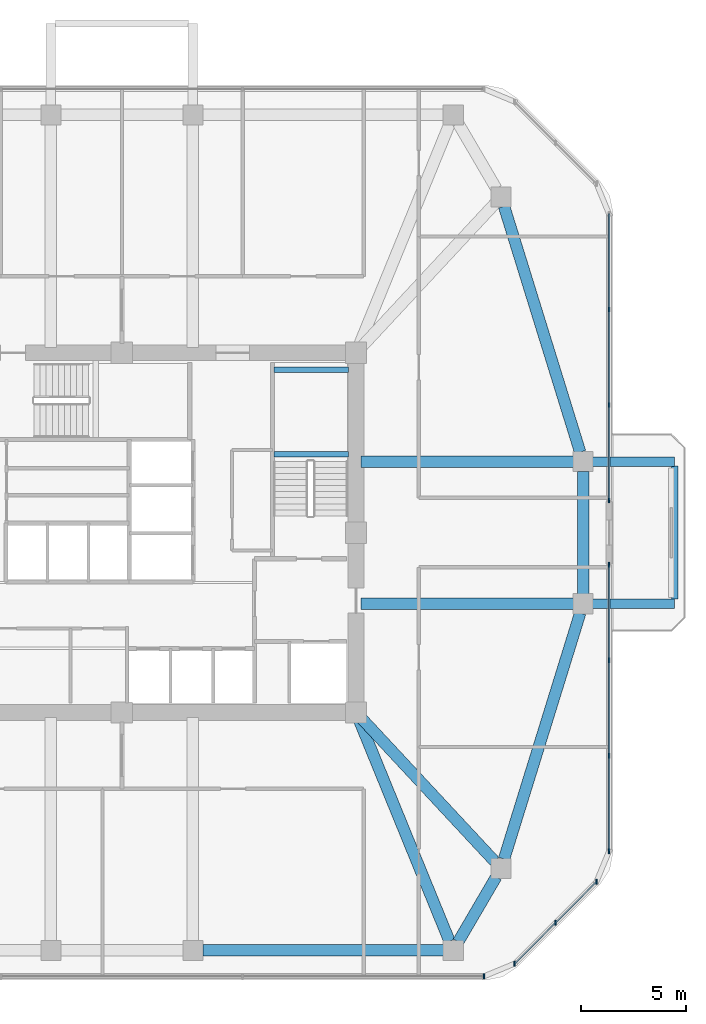
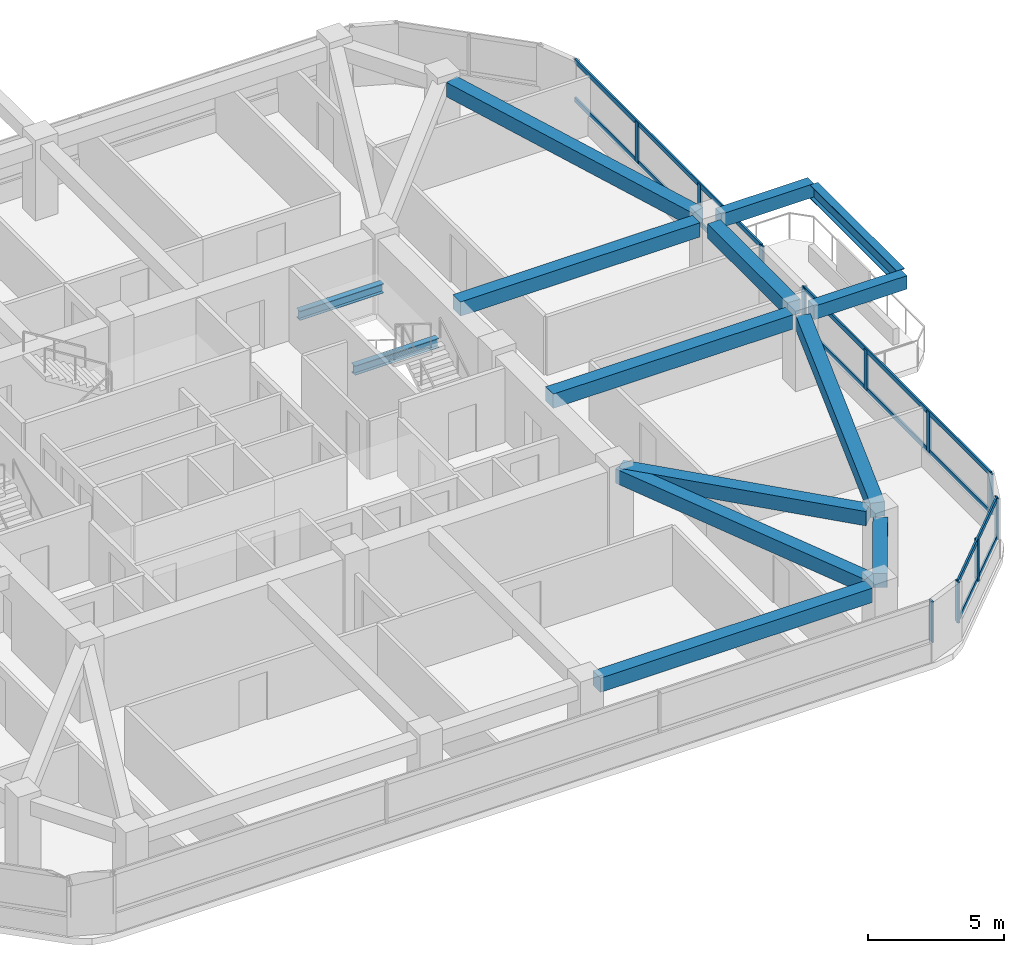
# One storey, part 4 of 12: 17 members, 14 beams, 4 elements without a shape of their own.
"""IFC4 building model written with IfcOpenShell, lengths in metres."""

from ifc_helpers import new_model, si_unit, derived_unit, direction, frame, origin, origin_2d, place, context, subcontext, project, spatial, rectangle, i_section, extrude, material, material_profile, profile_set, type_object, element, aggregate, save


model = new_model("IFC4")

# Units and contexts
model_context = context("Model", 3, precision=1e-05, world=origin(), true_north=direction((0.0, 1.0)))
body_context = subcontext(model_context, "Body", "Model", "MODEL_VIEW")
ifc_project = project(units=[si_unit("LENGTHUNIT", "METRE"), si_unit("AREAUNIT", "SQUARE_METRE"), si_unit("VOLUMEUNIT", "CUBIC_METRE"), si_unit("PLANEANGLEUNIT", "RADIAN"), si_unit("MASSUNIT", "GRAM", prefix="KILO"), derived_unit("THERMALTRANSMITTANCEUNIT", [(si_unit("POWERUNIT", "WATT"), 1), (si_unit("LENGTHUNIT", "METRE"), -2), (si_unit("THERMODYNAMICTEMPERATUREUNIT", "KELVIN"), -1)])], contexts=[model_context])

# Site, building, storey
site_placement = place(None, origin())
site = spatial("IfcSite", under=ifc_project, at=site_placement, CompositionType="ELEMENT")
building_placement = place(site_placement, origin())
building = spatial("IfcBuilding", under=site, at=building_placement, Name="Koralith Skygarden Medical Center", CompositionType="ELEMENT")
storey_placement = place(building_placement, frame((0.0, 0.0, 170.820068359375)))
storey = spatial("IfcBuildingStorey", under=building, at=storey_placement, Name="L44", CompositionType="ELEMENT", Elevation=170.820068359375)

# Curtain wall, member
ifc_material_1 = material(Name="Clear Laminated Glass", Category="glass")
curtain_wall_type = type_object("IfcCurtainWallType", Name="CW-4 Zone 3 Waist High-Wind Curtain Wall", PredefinedType="NOTDEFINED", material=ifc_material_1)
curtain_wall_1_placement = place(storey_placement, origin())
curtain_wall_1 = element("IfcCurtainWall", 1, at=curtain_wall_1_placement, inside=storey, type_object=curtain_wall_type, Name="Curtain Wall CW-L44-S", PredefinedType="NOTDEFINED")
ifc_material_2 = material(Name="Aluminium 6063-T6", Category="aluminium")
ifc_material_profile_1 = material_profile(ifc_material_2, rectangle(XDim=0.076904296875, YDim=0.22998046875, at=origin_2d()), Name="MUL77X230")
ifc_profile_set_1 = profile_set([ifc_material_profile_1], Name="Aluminium 6063-T6")
member_type_1 = type_object("IfcMemberType", Name="CW-4 Extruded Mullion 77x230", PredefinedType="MULLION", material=ifc_profile_set_1)
member_1_placement = place(storey_placement, frame((54.3291015625, 4.679931640625, 0.849853515625), z_axis=(0.0, 0.0, 1.0), x_axis=(1.0, 0.0, 0.0)))
member_1 = element("IfcMember", 2, at=member_1_placement, type_object=member_type_1, Name="CW-L44-S Mullion 4", PredefinedType="MULLION", context=body_context, shape_type="SweptSolid", body=[
    extrude(rectangle(XDim=0.076904296875, YDim=0.22998046875, at=origin_2d()), origin(), (0.0, 0.0, 1.0), 1.820068359375),
])
aggregate(curtain_wall_1, [member_1])

# Curtain wall, members
curtain_wall_2_placement = place(storey_placement, origin())
curtain_wall_2 = element("IfcCurtainWall", 3, at=curtain_wall_2_placement, inside=storey, type_object=curtain_wall_type, Name="Curtain Wall CW-L44-SE", PredefinedType="NOTDEFINED")
member_2_placement = place(storey_placement, frame((55.780029296875, 5.281005859375, 0.849853515625), z_axis=(0.0, 0.0, 1.0), x_axis=(1.0, 0.0, 0.0)))
member_2 = element("IfcMember", 4, at=member_2_placement, type_object=member_type_1, Name="CW-L44-SE Mullion 1", PredefinedType="MULLION", context=body_context, shape_type="SweptSolid", body=[
    extrude(rectangle(XDim=0.076904296875, YDim=0.22998046875, at=origin_2d()), origin(), (0.0, 0.0, 1.0), 1.820068359375),
])
member_3_placement = place(storey_placement, frame((57.741943359375, 7.241943359375, 0.849853515625), z_axis=(0.0, 0.0, 1.0), x_axis=(1.0, 0.0, 0.0)))
member_3 = element("IfcMember", 5, at=member_3_placement, type_object=member_type_1, Name="CW-L44-SE Mullion 2", PredefinedType="MULLION", context=body_context, shape_type="SweptSolid", body=[
    extrude(rectangle(XDim=0.076904296875, YDim=0.22998046875, at=origin_2d()), origin(), (0.0, 0.0, 1.0), 1.820068359375),
])
member_4_placement = place(storey_placement, frame((59.702880859375, 9.2041015625, 0.849853515625), z_axis=(0.0, 0.0, 1.0), x_axis=(1.0, 0.0, 0.0)))
member_4 = element("IfcMember", 6, at=member_4_placement, type_object=member_type_1, Name="CW-L44-SE Mullion 3", PredefinedType="MULLION", context=body_context, shape_type="SweptSolid", body=[
    extrude(rectangle(XDim=0.076904296875, YDim=0.22998046875, at=origin_2d()), origin(), (0.0, 0.0, 1.0), 1.820068359375),
])

curtain_wall_3_placement = place(storey_placement, origin())
curtain_wall_3 = element("IfcCurtainWall", 7, at=curtain_wall_3_placement, inside=storey, type_object=curtain_wall_type, Name="Curtain Wall CW-L44-E-L", PredefinedType="NOTDEFINED")
member_5_placement = place(storey_placement, frame((60.303955078125, 10.655029296875, 0.849853515625), z_axis=(0.0, 0.0, 1.0), x_axis=(1.0, 0.0, 0.0)))
member_5 = element("IfcMember", 8, at=member_5_placement, type_object=member_type_1, Name="CW-L44-E-L Mullion 1", PredefinedType="MULLION", context=body_context, shape_type="SweptSolid", body=[
    extrude(rectangle(XDim=0.076904296875, YDim=0.22998046875, at=origin_2d()), origin(), (0.0, 0.0, 1.0), 1.820068359375),
])
member_6_placement = place(storey_placement, frame((60.303955078125, 15.222900390625, 0.849853515625), z_axis=(0.0, 0.0, 1.0), x_axis=(1.0, 0.0, 0.0)))
member_6 = element("IfcMember", 9, at=member_6_placement, type_object=member_type_1, Name="CW-L44-E-L Mullion 2", PredefinedType="MULLION", context=body_context, shape_type="SweptSolid", body=[
    extrude(rectangle(XDim=0.076904296875, YDim=0.22998046875, at=origin_2d()), origin(), (0.0, 0.0, 1.0), 1.820068359375),
])
member_7_placement = place(storey_placement, frame((60.303955078125, 19.7919921875, 0.849853515625), z_axis=(0.0, 0.0, 1.0), x_axis=(1.0, 0.0, 0.0)))
member_7 = element("IfcMember", 10, at=member_7_placement, type_object=member_type_1, Name="CW-L44-E-L Mullion 3", PredefinedType="MULLION", context=body_context, shape_type="SweptSolid", body=[
    extrude(rectangle(XDim=0.076904296875, YDim=0.22998046875, at=origin_2d()), origin(), (0.0, 0.0, 1.0), 1.820068359375),
])
member_8_placement = place(storey_placement, frame((60.303955078125, 24.360107421875, 0.849853515625), z_axis=(0.0, 0.0, 1.0), x_axis=(1.0, 0.0, 0.0)))
member_8 = element("IfcMember", 11, at=member_8_placement, type_object=member_type_1, Name="CW-L44-E-L Mullion 4", PredefinedType="MULLION", context=body_context, shape_type="SweptSolid", body=[
    extrude(rectangle(XDim=0.076904296875, YDim=0.22998046875, at=origin_2d()), origin(), (0.0, 0.0, 1.0), 1.820068359375),
])

curtain_wall_4_placement = place(storey_placement, origin())
curtain_wall_4 = element("IfcCurtainWall", 12, at=curtain_wall_4_placement, inside=storey, type_object=curtain_wall_type, Name="Curtain Wall CW-L44-E-R", PredefinedType="NOTDEFINED")
member_9_placement = place(storey_placement, frame((60.303955078125, 27.43994140625, 0.849853515625), z_axis=(0.0, 0.0, 1.0), x_axis=(1.0, 0.0, 0.0)))
member_9 = element("IfcMember", 13, at=member_9_placement, type_object=member_type_1, Name="CW-L44-E-R Mullion 1", PredefinedType="MULLION", context=body_context, shape_type="SweptSolid", body=[
    extrude(rectangle(XDim=0.076904296875, YDim=0.22998046875, at=origin_2d()), origin(), (0.0, 0.0, 1.0), 1.820068359375),
])
member_10_placement = place(storey_placement, frame((60.303955078125, 32.008056640625, 0.849853515625), z_axis=(0.0, 0.0, 1.0), x_axis=(1.0, 0.0, 0.0)))
member_10 = element("IfcMember", 14, at=member_10_placement, type_object=member_type_1, Name="CW-L44-E-R Mullion 2", PredefinedType="MULLION", context=body_context, shape_type="SweptSolid", body=[
    extrude(rectangle(XDim=0.076904296875, YDim=0.22998046875, at=origin_2d()), origin(), (0.0, 0.0, 1.0), 1.820068359375),
])
member_11_placement = place(storey_placement, frame((60.303955078125, 36.576904296875, 0.849853515625), z_axis=(0.0, 0.0, 1.0), x_axis=(1.0, 0.0, 0.0)))
member_11 = element("IfcMember", 15, at=member_11_placement, type_object=member_type_1, Name="CW-L44-E-R Mullion 3", PredefinedType="MULLION", context=body_context, shape_type="SweptSolid", body=[
    extrude(rectangle(XDim=0.076904296875, YDim=0.22998046875, at=origin_2d()), origin(), (0.0, 0.0, 1.0), 1.820068359375),
])

# Member
ifc_material_profile_2 = material_profile(ifc_material_2, rectangle(XDim=0.072021484375, YDim=0.20703125, at=origin_2d()), Name="TRN72X207")
ifc_profile_set_2 = profile_set([ifc_material_profile_2], Name="Aluminium 6063-T6")
member_type_2 = type_object("IfcMemberType", Name="CW-4 Thermal Transom 72x207", PredefinedType="USERDEFINED", material=ifc_profile_set_2)
member_12_placement = place(storey_placement, frame((55.780029296875, 5.281005859375, 0.89990234375), z_axis=(0.707084777957, 0.707128783731, 0.0), x_axis=(-0.707128783731, 0.707084777957, 0.0)))
member_12 = element("IfcMember", 16, at=member_12_placement, type_object=member_type_2, Name="CW-L44-SE Transom 1", ObjectType="TRANSOM", PredefinedType="USERDEFINED", context=body_context, shape_type="SweptSolid", body=[
    extrude(rectangle(XDim=0.072021484375, YDim=0.20703125, at=origin_2d()), origin(), (0.0, 0.0, 1.0), 5.5478515625),
])

member_13_placement = place(storey_placement, frame((55.780029296875, 5.281005859375, 2.619873046875), z_axis=(0.707084777957, 0.707128783731, 0.0), x_axis=(-0.707128783731, 0.707084777957, 0.0)))
member_13 = element("IfcMember", 17, at=member_13_placement, type_object=member_type_2, Name="CW-L44-SE Transom 2", ObjectType="TRANSOM", PredefinedType="USERDEFINED", context=body_context, shape_type="SweptSolid", body=[
    extrude(rectangle(XDim=0.072021484375, YDim=0.20703125, at=origin_2d()), origin(), (0.0, 0.0, 1.0), 5.5478515625),
])

aggregate(curtain_wall_2, [member_2, member_3, member_4, member_12, member_13])

member_14_placement = place(storey_placement, frame((60.303955078125, 10.655029296875, 0.89990234375), z_axis=(0.0, 1.0, 0.0), x_axis=(-1.0, 0.0, 0.0)))
member_14 = element("IfcMember", 18, at=member_14_placement, type_object=member_type_2, Name="CW-L44-E-L Transom 1", ObjectType="TRANSOM", PredefinedType="USERDEFINED", context=body_context, shape_type="SweptSolid", body=[
    extrude(rectangle(XDim=0.072021484375, YDim=0.20703125, at=origin_2d()), origin(), (0.0, 0.0, 1.0), 13.705078125),
])

member_15_placement = place(storey_placement, frame((60.303955078125, 10.655029296875, 2.619873046875), z_axis=(0.0, 1.0, 0.0), x_axis=(-1.0, 0.0, 0.0)))
member_15 = element("IfcMember", 19, at=member_15_placement, type_object=member_type_2, Name="CW-L44-E-L Transom 2", ObjectType="TRANSOM", PredefinedType="USERDEFINED", context=body_context, shape_type="SweptSolid", body=[
    extrude(rectangle(XDim=0.072021484375, YDim=0.20703125, at=origin_2d()), origin(), (0.0, 0.0, 1.0), 13.705078125),
])

aggregate(curtain_wall_3, [member_5, member_6, member_7, member_8, member_14, member_15])

member_16_placement = place(storey_placement, frame((60.303955078125, 27.43994140625, 0.89990234375), z_axis=(0.0, 1.0, 0.0), x_axis=(-1.0, 0.0, 0.0)))
member_16 = element("IfcMember", 20, at=member_16_placement, type_object=member_type_2, Name="CW-L44-E-R Transom 1", ObjectType="TRANSOM", PredefinedType="USERDEFINED", context=body_context, shape_type="SweptSolid", body=[
    extrude(rectangle(XDim=0.072021484375, YDim=0.20703125, at=origin_2d()), origin(), (0.0, 0.0, 1.0), 13.705078125),
])

member_17_placement = place(storey_placement, frame((60.303955078125, 27.43994140625, 2.619873046875), z_axis=(0.0, 1.0, 0.0), x_axis=(-1.0, 0.0, 0.0)))
member_17 = element("IfcMember", 21, at=member_17_placement, type_object=member_type_2, Name="CW-L44-E-R Transom 2", ObjectType="TRANSOM", PredefinedType="USERDEFINED", context=body_context, shape_type="SweptSolid", body=[
    extrude(rectangle(XDim=0.072021484375, YDim=0.20703125, at=origin_2d()), origin(), (0.0, 0.0, 1.0), 13.705078125),
])

aggregate(curtain_wall_4, [member_9, member_10, member_11, member_16, member_17])

# Beams
ifc_material_3 = material(Name="Steel ASTM A992 Grade 50", Category="steel")
ifc_material_profile_3 = material_profile(ifc_material_3, i_section(OverallWidth=0.326904296875, OverallDepth=0.6220703125, WebThickness=0.015380859375, FlangeThickness=0.0244140625, at=origin_2d()), Name="W24X131")
ifc_profile_set_3 = profile_set([ifc_material_profile_3], Name="Steel ASTM A992 Grade 50")
beam_type_1 = type_object("IfcBeamType", Name="Cantilever Tie Beam W24X131", PredefinedType="BEAM", material=ifc_profile_set_3)
beam_1_placement = place(storey_placement, frame((63.444091796875, 22.719970703125, 3.029052734375), z_axis=(0.0, 1.0, 0.0), x_axis=(-1.0, 0.0, 0.0)))
element("IfcBeam", 22, at=beam_1_placement, inside=storey, type_object=beam_type_1, Name="L45 E Balcony Tip Tie Beam", PredefinedType="BEAM", context=body_context, shape_type="SweptSolid", body=[
    extrude(i_section(OverallWidth=0.326904296875, OverallDepth=0.6220703125, WebThickness=0.015380859375, FlangeThickness=0.0244140625, at=origin_2d()), origin(), (0.0, 0.0, 1.0), 6.360107421875),
])
ifc_material_profile_4 = material_profile(ifc_material_3, i_section(OverallWidth=0.260009765625, OverallDepth=0.4150390625, WebThickness=0.010009765625, FlangeThickness=0.016845703125, at=origin_2d()), Name="W16X67")
ifc_profile_set_4 = profile_set([ifc_material_profile_4], Name="Steel ASTM A992 Grade 50")
beam_type_2 = type_object("IfcBeamType", Name="Clinical Floor Joist W16X67", PredefinedType="JOIST", material=ifc_profile_set_4)
for number, where, z_axis, x_axis, name in (
    (23, (44.280029296875, 29.659912109375, 1.392822265625), (1.0, 0.0, 0.0), (0.0, 1.0, 0.0), "L44 Stair ST2 Half-Landing Support Beam 1A"),
    (24, (44.280029296875, 33.699951171875, 1.392822265625), (1.0, 0.0, 0.0), (0.0, 1.0, 0.0), "L44 Stair ST2 Half-Landing Support Beam 1B"),
):
    element("IfcBeam", number, at=place(storey_placement, frame(where, z_axis=z_axis, x_axis=x_axis)), inside=storey, type_object=beam_type_2, Name=name, PredefinedType="JOIST", context=body_context, shape_type="SweptSolid", body=[
        extrude(i_section(OverallWidth=0.260009765625, OverallDepth=0.4150390625, WebThickness=0.010009765625, FlangeThickness=0.016845703125, at=origin_2d()), origin(), (0.0, 0.0, 1.0), 3.56494140625),
    ])
ifc_material_4 = material(Name="Concrete C45/55", Category="concrete")
ifc_material_profile_5 = material_profile(ifc_material_4, rectangle(XDim=0.449951171875, YDim=0.60009765625, at=origin_2d()), Name="RCB450X600")
ifc_profile_set_5 = profile_set([ifc_material_profile_5], Name="Concrete C45/55")
beam_type_3 = type_object("IfcBeamType", Name="Planted Balcony Cantilever Beam RCB450X600", PredefinedType="BEAM", material=ifc_profile_set_5)
for number, where, z_axis, x_axis, name in (
    (25, (59.52392578125, 22.5, 3.0400390625), (1.0, 0.0, 0.0), (0.0, 1.0, 0.0), "L45 E Balcony Cantilever Beam A"),
    (26, (59.52392578125, 29.300048828125, 3.0400390625), (1.0, 0.0, 0.0), (0.0, 1.0, 0.0), "L45 E Balcony Cantilever Beam B"),
):
    element("IfcBeam", number, at=place(storey_placement, frame(where, z_axis=z_axis, x_axis=x_axis)), inside=storey, type_object=beam_type_3, Name=name, PredefinedType="BEAM", context=body_context, shape_type="SweptSolid", body=[
        extrude(rectangle(XDim=0.449951171875, YDim=0.60009765625, at=origin_2d()), origin(), (0.0, 0.0, 1.0), 3.920166015625),
    ])
ifc_material_profile_6 = material_profile(ifc_material_4, rectangle(XDim=0.550048828125, YDim=0.639892578125, at=origin_2d()), Name="RCB550X640")
ifc_profile_set_6 = profile_set([ifc_material_profile_6], Name="Concrete C45/55")
beam_type_4 = type_object("IfcBeamType", Name="Radial Collector Beam RCB550X640", PredefinedType="BEAM", material=ifc_profile_set_6)
beam_2_placement = place(storey_placement, frame((48.294921875, 17.069091796875, 3.0), z_axis=(0.378344544364, -0.92566484526, 0.0), x_axis=(0.92566484526, 0.378344544364, 0.0)))
element("IfcBeam", 27, at=beam_2_placement, inside=storey, type_object=beam_type_4, Name="L44 Radial Collector Beam RB-06", PredefinedType="BEAM", context=body_context, shape_type="SweptSolid", body=[
    extrude(rectangle(XDim=0.550048828125, YDim=0.639892578125, at=origin_2d()), origin(), (0.0, 0.0, 1.0), 11.574462890625),
])
beam_3_placement = place(storey_placement, frame((48.3701171875, 17.116943359375, 3.0), z_axis=(0.681369011591, -0.731940072713, 0.0), x_axis=(0.731940072713, 0.681369011591, 0.0)))
element("IfcBeam", 28, at=beam_3_placement, inside=storey, type_object=beam_type_4, Name="L44 Radial Collector Beam RB-07", PredefinedType="BEAM", context=body_context, shape_type="SweptSolid", body=[
    extrude(rectangle(XDim=0.550048828125, YDim=0.639892578125, at=origin_2d()), origin(), (0.0, 0.0, 1.0), 9.471923828125),
])
for number, where, z_axis, x_axis, name in (
    (29, (48.449951171875, 22.5, 3.0), (1.0, 0.0, 0.0), (0.0, 1.0, 0.0), "L44 Radial Collector Beam RB-08"),
    (30, (48.449951171875, 29.300048828125, 3.0), (1.0, 0.0, 0.0), (0.0, 1.0, 0.0), "L44 Radial Collector Beam RB-09"),
):
    element("IfcBeam", number, at=place(storey_placement, frame(where, z_axis=z_axis, x_axis=x_axis)), inside=storey, type_object=beam_type_4, Name=name, PredefinedType="BEAM", context=body_context, shape_type="SweptSolid", body=[
        extrude(rectangle(XDim=0.550048828125, YDim=0.639892578125, at=origin_2d()), origin(), (0.0, 0.0, 1.0), 10.14404296875),
    ])
ifc_material_profile_7 = material_profile(ifc_material_4, rectangle(XDim=0.550048828125, YDim=0.639892578125, at=origin_2d()), Name="RCB550X640")
ifc_profile_set_7 = profile_set([ifc_material_profile_7], Name="Concrete C45/55")
beam_type_5 = type_object("IfcBeamType", Name="Zone 2-3 Spandrel Beam RCB550X640", PredefinedType="SPANDREL", material=ifc_profile_set_7)
beam_4_placement = place(storey_placement, frame((40.8701171875, 5.919921875, 3.0), z_axis=(1.0, 0.0, 0.0), x_axis=(0.0, 1.0, 0.0)))
element("IfcBeam", 31, at=beam_4_placement, inside=storey, type_object=beam_type_5, Name="L44 Perimeter Spandrel Beam SP-05", PredefinedType="SPANDREL", context=body_context, shape_type="SweptSolid", body=[
    extrude(rectangle(XDim=0.550048828125, YDim=0.639892578125, at=origin_2d()), origin(), (0.0, 0.0, 1.0), 11.511962890625),
])
beam_5_placement = place(storey_placement, frame((53.089111328125, 6.325927734375, 3.0), z_axis=(0.504861391295, 0.863200426077, 0.0), x_axis=(-0.863200426077, 0.504861391295, 0.0)))
element("IfcBeam", 32, at=beam_5_placement, inside=storey, type_object=beam_type_5, Name="L44 Perimeter Spandrel Beam SP-06", PredefinedType="SPANDREL", context=body_context, shape_type="SweptSolid", body=[
    extrude(rectangle(XDim=0.550048828125, YDim=0.639892578125, at=origin_2d()), origin(), (0.0, 0.0, 1.0), 3.600830078125),
])
beam_6_placement = place(storey_placement, frame((55.282958984375, 10.2890625, 3.0), z_axis=(0.295793585147, 0.955251880389, 0.0), x_axis=(-0.955251880389, 0.295793585147, 0.0)))
element("IfcBeam", 33, at=beam_6_placement, inside=storey, type_object=beam_type_5, Name="L44 Perimeter Spandrel Beam SP-07", PredefinedType="SPANDREL", context=body_context, shape_type="SweptSolid", body=[
    extrude(rectangle(XDim=0.550048828125, YDim=0.639892578125, at=origin_2d()), origin(), (0.0, 0.0, 1.0), 12.31298828125),
])
beam_7_placement = place(storey_placement, frame((59.06396484375, 22.969970703125, 3.0), z_axis=(0.0, 1.0, 0.0), x_axis=(-1.0, 0.0, 0.0)))
element("IfcBeam", 34, at=beam_7_placement, inside=storey, type_object=beam_type_5, Name="L44 Perimeter Spandrel Beam SP-08", PredefinedType="SPANDREL", context=body_context, shape_type="SweptSolid", body=[
    extrude(rectangle(XDim=0.550048828125, YDim=0.639892578125, at=origin_2d()), origin(), (0.0, 0.0, 1.0), 5.860107421875),
])
beam_8_placement = place(storey_placement, frame((58.925048828125, 29.7490234375, 3.0), z_axis=(-0.295793585147, 0.955251880389, 0.0), x_axis=(-0.955251880389, -0.295793585147, 0.0)))
element("IfcBeam", 35, at=beam_8_placement, inside=storey, type_object=beam_type_5, Name="L44 Perimeter Spandrel Beam SP-09", PredefinedType="SPANDREL", context=body_context, shape_type="SweptSolid", body=[
    extrude(rectangle(XDim=0.550048828125, YDim=0.639892578125, at=origin_2d()), origin(), (0.0, 0.0, 1.0), 12.31298828125),
])

save(model, "model.ifc")
